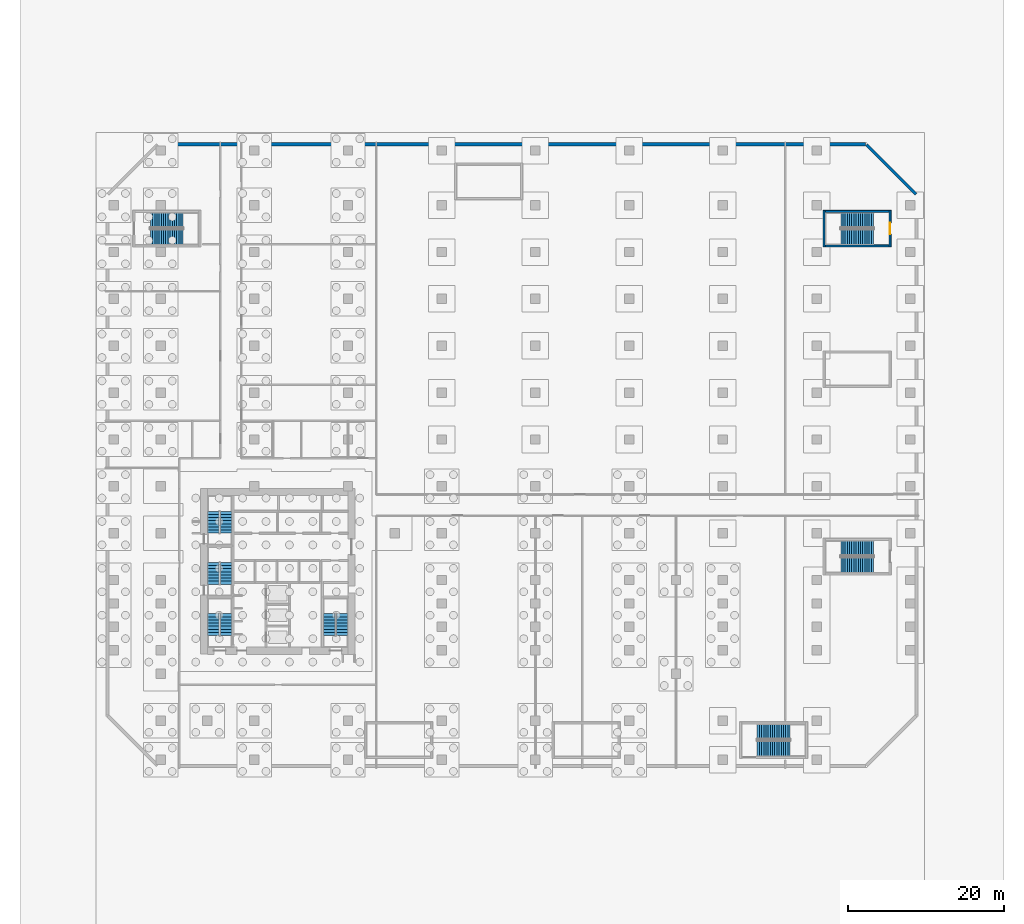
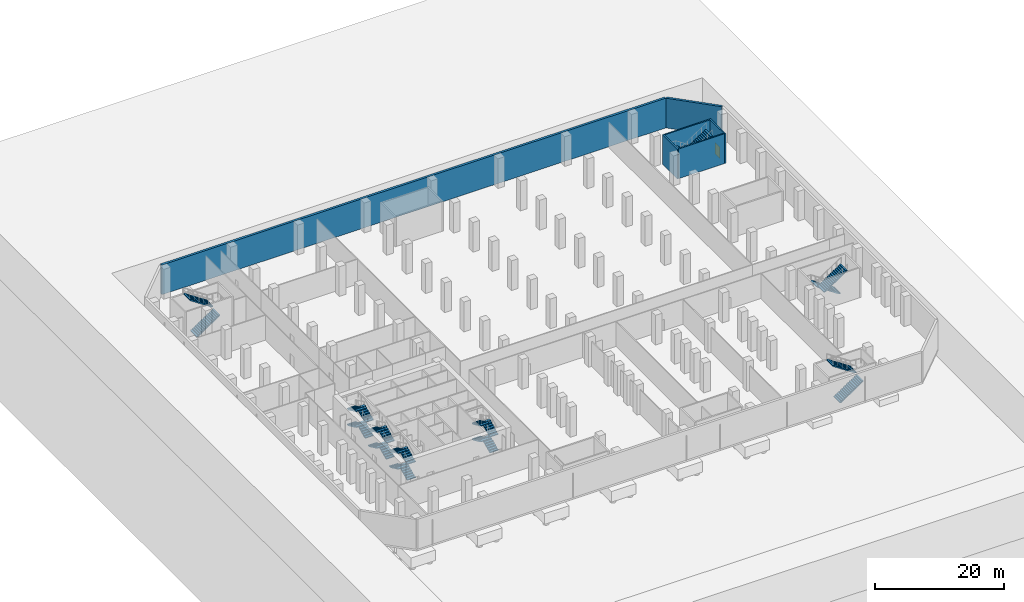
# One storey, part 12 of 16: 24 stair flights, 6 walls, 1 door, 1 opening, 8 elements without a shape of their own.
"""IFC4 building model written with IfcOpenShell, lengths in metres."""

from ifc_helpers import new_model, si_unit, direction, frame, frame_2d, origin, place, context, subcontext, project, spatial, polyline, rectangle, outline, extrude, material, layer, layer_set, type_object, element, fill, aggregate, save


model = new_model("IFC4")

# Units and contexts
model_context = context("Model", 3, precision=1e-05, world=origin(), true_north=direction((0.0, 1.0)))
body_context = subcontext(model_context, "Body", "Model", "MODEL_VIEW")
ifc_project = project(units=[si_unit("LENGTHUNIT", "METRE"), si_unit("AREAUNIT", "SQUARE_METRE"), si_unit("VOLUMEUNIT", "CUBIC_METRE"), si_unit("PLANEANGLEUNIT", "RADIAN"), si_unit("MASSUNIT", "GRAM", prefix="KILO")], contexts=[model_context])

# Site, building, storey
site_placement = place(None, origin())
site = spatial("IfcSite", under=ifc_project, at=site_placement, CompositionType="ELEMENT")
building_placement = place(site_placement, origin())
building = spatial("IfcBuilding", under=site, at=building_placement, Name="Welwitschia Terrace Campus", CompositionType="ELEMENT")
storey_placement = place(building_placement, frame((0.0, 0.0, -6.0)))
storey = spatial("IfcBuildingStorey", under=building, at=storey_placement, Name="B1", CompositionType="ELEMENT", Elevation=-6.0)

# Wall
ifc_material_1 = material(Name="Concrete C50/60", Category="concrete")
ifc_layer_1 = layer(ifc_material_1, 0.25)
ifc_layer_set_1 = layer_set([ifc_layer_1], Name="Concrete C50/60")
wall_type_1 = type_object("IfcWallType", Name="Core wall 250 Concrete C50/60", PredefinedType="SHEAR", material=ifc_layer_set_1)
wall_1_placement = place(storey_placement, frame((84.97509765625, 56.675048828125, 0.0), z_axis=(0.0, 0.0, 1.0), x_axis=(0.0, 1.0, 0.0)))
element("IfcWall", 1, at=wall_1_placement, inside=storey, type_object=wall_type_1, Name="Core wall", PredefinedType="SHEAR", context=body_context, shape_type="SweptSolid", body=[
    extrude(rectangle(XDim=4.64990234375, YDim=0.25, at=frame_2d((2.324951171875, 0.0))), origin(), (0.0, 0.0, 1.0), 5.64990234375),
])

# Wall, opening, door
wall_2_placement = place(storey_placement, frame((93.425048828125, 61.324951171875, 0.0), z_axis=(0.0, 0.0, 1.0), x_axis=(0.0, -1.0, 0.0)))
wall_2 = element("IfcWall", 2, at=wall_2_placement, inside=storey, type_object=wall_type_1, Name="Core wall", PredefinedType="SHEAR", context=body_context, shape_type="SweptSolid", body=[
    extrude(rectangle(XDim=4.64990234375, YDim=0.25, at=frame_2d((2.324951171875, 0.0))), origin(), (0.0, 0.0, 1.0), 5.64990234375),
])
opening_placement = place(wall_2_placement, frame((1.574951171875, 0.0, 0.0)))
opening = element("IfcOpeningElement", 3, at=opening_placement, cuts=wall_2, Name="Opening DS15", PredefinedType="OPENING", context=body_context, shape_type="SweptSolid", body=[
    extrude(rectangle(XDim=1.5, YDim=2.10009765625, at=frame_2d((0.75, 1.050048828125))), frame((0.0, 0.135009765625, 0.0), z_axis=(0.0, -1.0, 0.0), x_axis=(1.0, 0.0, 0.0)), (0.0, 0.0, 1.0), 0.27001953125),
])
ifc_material_2 = material(Name="Steel S275", Category="steel")
door_type = type_object("IfcDoorType", Name="Core door DS15", OperationType="DOUBLE_DOOR_SINGLE_SWING", PredefinedType="DOOR", material=ifc_material_2)
door_placement = place(opening_placement, origin())
door = element("IfcDoor", 4, at=door_placement, inside=storey, type_object=door_type, Name="Door P3", OperationType="DOUBLE_DOOR_SINGLE_SWING", OverallHeight=2.10009765625, OverallWidth=1.5, PredefinedType="DOOR", context=body_context, shape_type="SweptSolid", body=[
    extrude(rectangle(XDim=1.5, YDim=2.10009765625, at=frame_2d((0.75, 1.050048828125))), frame((0.0, 0.02490234375, 0.0), z_axis=(0.0, -1.0, 0.0), x_axis=(1.0, 0.0, 0.0)), (0.0, 0.0, 1.0), 0.050048828125),
])
fill(opening, door)

# Walls
for number, where, z_axis, x_axis, name in (
    (5, (85.10009765625, 56.800048828125, 0.0), (0.0, 0.0, 1.0), (1.0, 0.0, 0.0), "Core wall"),
    (6, (85.10009765625, 61.199951171875, 0.0), (0.0, 0.0, 1.0), (1.0, 0.0, 0.0), "Core wall"),
):
    element("IfcWall", number, at=place(storey_placement, frame(where, z_axis=z_axis, x_axis=x_axis)), inside=storey, type_object=wall_type_1, Name=name, PredefinedType="SHEAR", context=body_context, shape_type="SweptSolid", body=[
        extrude(rectangle(XDim=8.199951171875, YDim=0.25, at=frame_2d((4.10009765625, 0.0))), origin(), (0.0, 0.0, 1.0), 5.64990234375),
    ])
ifc_material_3 = material(Name="Concrete C40/50", Category="concrete")
ifc_layer_2 = layer(ifc_material_3, 0.39990234375)
ifc_layer_set_2 = layer_set([ifc_layer_2], Name="Concrete C40/50")
wall_type_2 = type_object("IfcWallType", Name="Retaining wall 400", PredefinedType="SOLIDWALL", material=ifc_layer_set_2)
wall_3_placement = place(storey_placement, frame((96.741455078125, 63.389892578125, 0.0), z_axis=(0.0, 0.0, 1.0), x_axis=(-0.707106781187, 0.707106781187, 0.0)))
element("IfcWall", 7, at=wall_3_placement, inside=storey, type_object=wall_type_2, Name="Basement retaining wall 4", PredefinedType="SOLIDWALL", context=body_context, shape_type="SweptSolid", body=[
    extrude(rectangle(XDim=8.982421875, YDim=0.39990234375, at=frame_2d((4.4912109375, 0.0))), origin(), (0.0, 0.0, 1.0), 5.64990234375),
])
wall_4_placement = place(storey_placement, frame((90.24853515625, 69.800048828125, 0.0), z_axis=(0.0, 0.0, 1.0), x_axis=(-1.0, 0.0, 0.0)))
element("IfcWall", 8, at=wall_4_placement, inside=storey, type_object=wall_type_2, Name="Basement retaining wall 5", PredefinedType="SOLIDWALL", context=body_context, shape_type="SweptSolid", body=[
    extrude(rectangle(XDim=90.4970703125, YDim=0.39990234375, at=frame_2d((45.24853515625, 0.0))), origin(), (0.0, 0.0, 1.0), 5.64990234375),
])

# Stair, stair flights
ifc_material_4 = material(Name="Concrete C40/50", Category="concrete")
stair_type_1 = type_object("IfcStairType", Name="Stair 32R 188 W1500", PredefinedType="HALF_TURN_STAIR", material=ifc_material_4)
stair_1_placement = place(storey_placement, origin())
stair_1 = element("IfcStair", 9, at=stair_1_placement, inside=storey, type_object=stair_type_1, Name="B1 Exit stair S1", PredefinedType="HALF_TURN_STAIR")
ifc_material_5 = material(Name="Concrete C40/50", Category="concrete")
stair_flight_type_1 = type_object("IfcStairFlightType", Name="Stair flight 32R 188 W1500", PredefinedType="STRAIGHT", material=ifc_material_5)
stair_flight_1_placement = place(storey_placement, frame((8.39990234375, 6.89990234375, 0.0), z_axis=(0.0, 0.0, 1.0), x_axis=(0.0, 1.0, 0.0)))
stair_flight_1 = element("IfcStairFlight", 10, at=stair_flight_1_placement, type_object=stair_flight_type_1, Name="S1 flight 1", NumberOfRisers=8, NumberOfTreads=7, PredefinedType="STRAIGHT", RiserHeight=0.1875, TreadLength=0.4, context=body_context, shape_type="SweptSolid", body=[
    extrude(outline(polyline([(0.0, 0.0), (0.0, 0.1875), (0.39990234375, 0.1875), (0.39990234375, 0.375), (0.800048828125, 0.375), (0.800048828125, 0.5625), (1.199951171875, 0.5625), (1.199951171875, 0.75), (1.60009765625, 0.75), (1.60009765625, 0.9375), (2.0, 0.9375), (2.0, 1.125), (2.39990234375, 1.125), (2.39990234375, 1.3125), (2.800048828125, 1.3125), (2.800048828125, 1.5), (2.800048828125, 1.14697265625), (0.353271484375, 0.0), (0.0, 0.0)])), frame((0.0, 0.75, 0.0), z_axis=(0.0, -1.0, 0.0), x_axis=(1.0, 0.0, 0.0)), (0.0, 0.0, 1.0), 1.5),
])
stair_flight_2_placement = place(storey_placement, frame((6.75, 9.699951171875, 1.5), z_axis=(0.0, 0.0, 1.0), x_axis=(0.0, -1.0, 0.0)))
stair_flight_2 = element("IfcStairFlight", 11, at=stair_flight_2_placement, type_object=stair_flight_type_1, Name="S1 flight 2", NumberOfRisers=8, NumberOfTreads=7, PredefinedType="STRAIGHT", RiserHeight=0.1875, TreadLength=0.4, context=body_context, shape_type="SweptSolid", body=[
    extrude(outline(polyline([(0.0, 0.0), (0.0, 0.1875), (0.39990234375, 0.1875), (0.39990234375, 0.375), (0.800048828125, 0.375), (0.800048828125, 0.5625), (1.199951171875, 0.5625), (1.199951171875, 0.75), (1.60009765625, 0.75), (1.60009765625, 0.9375), (2.0, 0.9375), (2.0, 1.125), (2.39990234375, 1.125), (2.39990234375, 1.3125), (2.800048828125, 1.3125), (2.800048828125, 1.5), (2.800048828125, 1.14697265625), (0.353271484375, 0.0), (0.0, 0.0)])), frame((0.0, 0.75, 0.0), z_axis=(0.0, -1.0, 0.0), x_axis=(1.0, 0.0, 0.0)), (0.0, 0.0, 1.0), 1.5),
])
stair_flight_3_placement = place(storey_placement, frame((8.39990234375, 6.89990234375, 3.0), z_axis=(0.0, 0.0, 1.0), x_axis=(0.0, 1.0, 0.0)))
stair_flight_3 = element("IfcStairFlight", 12, at=stair_flight_3_placement, type_object=stair_flight_type_1, Name="S1 flight 3", NumberOfRisers=8, NumberOfTreads=7, PredefinedType="STRAIGHT", RiserHeight=0.1875, TreadLength=0.4, context=body_context, shape_type="SweptSolid", body=[
    extrude(outline(polyline([(0.0, 0.0), (0.0, 0.1875), (0.39990234375, 0.1875), (0.39990234375, 0.375), (0.800048828125, 0.375), (0.800048828125, 0.5625), (1.199951171875, 0.5625), (1.199951171875, 0.75), (1.60009765625, 0.75), (1.60009765625, 0.9375), (2.0, 0.9375), (2.0, 1.125), (2.39990234375, 1.125), (2.39990234375, 1.3125), (2.800048828125, 1.3125), (2.800048828125, 1.5), (2.800048828125, 1.14697265625), (0.353271484375, 0.0), (0.0, 0.0)])), frame((0.0, 0.75, 0.0), z_axis=(0.0, -1.0, 0.0), x_axis=(1.0, 0.0, 0.0)), (0.0, 0.0, 1.0), 1.5),
])
stair_flight_4_placement = place(storey_placement, frame((6.75, 9.699951171875, 4.5), z_axis=(0.0, 0.0, 1.0), x_axis=(0.0, -1.0, 0.0)))
stair_flight_4 = element("IfcStairFlight", 13, at=stair_flight_4_placement, type_object=stair_flight_type_1, Name="S1 flight 4", NumberOfRisers=8, NumberOfTreads=7, PredefinedType="STRAIGHT", RiserHeight=0.1875, TreadLength=0.4, context=body_context, shape_type="SweptSolid", body=[
    extrude(outline(polyline([(0.0, 0.0), (0.0, 0.1875), (0.39990234375, 0.1875), (0.39990234375, 0.375), (0.800048828125, 0.375), (0.800048828125, 0.5625), (1.199951171875, 0.5625), (1.199951171875, 0.75), (1.60009765625, 0.75), (1.60009765625, 0.9375), (2.0, 0.9375), (2.0, 1.125), (2.39990234375, 1.125), (2.39990234375, 1.3125), (2.800048828125, 1.3125), (2.800048828125, 1.5), (2.800048828125, 1.14697265625), (0.353271484375, 0.0), (0.0, 0.0)])), frame((0.0, 0.75, 0.0), z_axis=(0.0, -1.0, 0.0), x_axis=(1.0, 0.0, 0.0)), (0.0, 0.0, 1.0), 1.5),
])
aggregate(stair_1, [stair_flight_1, stair_flight_2, stair_flight_3, stair_flight_4])

stair_2_placement = place(storey_placement, origin())
stair_2 = element("IfcStair", 14, at=stair_2_placement, inside=storey, type_object=stair_type_1, Name="B1 Exit stair S3", PredefinedType="HALF_TURN_STAIR")
stair_flight_5_placement = place(storey_placement, frame((8.39990234375, 13.449951171875, 0.0), z_axis=(0.0, 0.0, 1.0), x_axis=(0.0, 1.0, 0.0)))
stair_flight_5 = element("IfcStairFlight", 15, at=stair_flight_5_placement, type_object=stair_flight_type_1, Name="S3 flight 1", NumberOfRisers=8, NumberOfTreads=7, PredefinedType="STRAIGHT", RiserHeight=0.1875, TreadLength=0.4, context=body_context, shape_type="SweptSolid", body=[
    extrude(outline(polyline([(0.0, 0.0), (0.0, 0.1875), (0.39990234375, 0.1875), (0.39990234375, 0.375), (0.800048828125, 0.375), (0.800048828125, 0.5625), (1.199951171875, 0.5625), (1.199951171875, 0.75), (1.60009765625, 0.75), (1.60009765625, 0.9375), (2.0, 0.9375), (2.0, 1.125), (2.39990234375, 1.125), (2.39990234375, 1.3125), (2.800048828125, 1.3125), (2.800048828125, 1.5), (2.800048828125, 1.14697265625), (0.353271484375, 0.0), (0.0, 0.0)])), frame((0.0, 0.75, 0.0), z_axis=(0.0, -1.0, 0.0), x_axis=(1.0, 0.0, 0.0)), (0.0, 0.0, 1.0), 1.5),
])
stair_flight_6_placement = place(storey_placement, frame((6.75, 16.25, 1.5), z_axis=(0.0, 0.0, 1.0), x_axis=(0.0, -1.0, 0.0)))
stair_flight_6 = element("IfcStairFlight", 16, at=stair_flight_6_placement, type_object=stair_flight_type_1, Name="S3 flight 2", NumberOfRisers=8, NumberOfTreads=7, PredefinedType="STRAIGHT", RiserHeight=0.1875, TreadLength=0.4, context=body_context, shape_type="SweptSolid", body=[
    extrude(outline(polyline([(0.0, 0.0), (0.0, 0.1875), (0.39990234375, 0.1875), (0.39990234375, 0.375), (0.800048828125, 0.375), (0.800048828125, 0.5625), (1.199951171875, 0.5625), (1.199951171875, 0.75), (1.60009765625, 0.75), (1.60009765625, 0.9375), (2.0, 0.9375), (2.0, 1.125), (2.39990234375, 1.125), (2.39990234375, 1.3125), (2.800048828125, 1.3125), (2.800048828125, 1.5), (2.800048828125, 1.14697265625), (0.353271484375, 0.0), (0.0, 0.0)])), frame((0.0, 0.75, 0.0), z_axis=(0.0, -1.0, 0.0), x_axis=(1.0, 0.0, 0.0)), (0.0, 0.0, 1.0), 1.5),
])
stair_flight_7_placement = place(storey_placement, frame((8.39990234375, 13.449951171875, 3.0), z_axis=(0.0, 0.0, 1.0), x_axis=(0.0, 1.0, 0.0)))
stair_flight_7 = element("IfcStairFlight", 17, at=stair_flight_7_placement, type_object=stair_flight_type_1, Name="S3 flight 3", NumberOfRisers=8, NumberOfTreads=7, PredefinedType="STRAIGHT", RiserHeight=0.1875, TreadLength=0.4, context=body_context, shape_type="SweptSolid", body=[
    extrude(outline(polyline([(0.0, 0.0), (0.0, 0.1875), (0.39990234375, 0.1875), (0.39990234375, 0.375), (0.800048828125, 0.375), (0.800048828125, 0.5625), (1.199951171875, 0.5625), (1.199951171875, 0.75), (1.60009765625, 0.75), (1.60009765625, 0.9375), (2.0, 0.9375), (2.0, 1.125), (2.39990234375, 1.125), (2.39990234375, 1.3125), (2.800048828125, 1.3125), (2.800048828125, 1.5), (2.800048828125, 1.14697265625), (0.353271484375, 0.0), (0.0, 0.0)])), frame((0.0, 0.75, 0.0), z_axis=(0.0, -1.0, 0.0), x_axis=(1.0, 0.0, 0.0)), (0.0, 0.0, 1.0), 1.5),
])
stair_flight_8_placement = place(storey_placement, frame((6.75, 16.25, 4.5), z_axis=(0.0, 0.0, 1.0), x_axis=(0.0, -1.0, 0.0)))
stair_flight_8 = element("IfcStairFlight", 18, at=stair_flight_8_placement, type_object=stair_flight_type_1, Name="S3 flight 4", NumberOfRisers=8, NumberOfTreads=7, PredefinedType="STRAIGHT", RiserHeight=0.1875, TreadLength=0.4, context=body_context, shape_type="SweptSolid", body=[
    extrude(outline(polyline([(0.0, 0.0), (0.0, 0.1875), (0.39990234375, 0.1875), (0.39990234375, 0.375), (0.800048828125, 0.375), (0.800048828125, 0.5625), (1.199951171875, 0.5625), (1.199951171875, 0.75), (1.60009765625, 0.75), (1.60009765625, 0.9375), (2.0, 0.9375), (2.0, 1.125), (2.39990234375, 1.125), (2.39990234375, 1.3125), (2.800048828125, 1.3125), (2.800048828125, 1.5), (2.800048828125, 1.14697265625), (0.353271484375, 0.0), (0.0, 0.0)])), frame((0.0, 0.75, 0.0), z_axis=(0.0, -1.0, 0.0), x_axis=(1.0, 0.0, 0.0)), (0.0, 0.0, 1.0), 1.5),
])
aggregate(stair_2, [stair_flight_5, stair_flight_6, stair_flight_7, stair_flight_8])

stair_3_placement = place(storey_placement, origin())
stair_3 = element("IfcStair", 19, at=stair_3_placement, inside=storey, type_object=stair_type_1, Name="B1 Exit stair S4", PredefinedType="HALF_TURN_STAIR")
stair_flight_9_placement = place(storey_placement, frame((8.39990234375, 20.0, 0.0), z_axis=(0.0, 0.0, 1.0), x_axis=(0.0, 1.0, 0.0)))
stair_flight_9 = element("IfcStairFlight", 20, at=stair_flight_9_placement, type_object=stair_flight_type_1, Name="S4 flight 1", NumberOfRisers=8, NumberOfTreads=7, PredefinedType="STRAIGHT", RiserHeight=0.1875, TreadLength=0.4, context=body_context, shape_type="SweptSolid", body=[
    extrude(outline(polyline([(0.0, 0.0), (0.0, 0.1875), (0.39990234375, 0.1875), (0.39990234375, 0.375), (0.800048828125, 0.375), (0.800048828125, 0.5625), (1.199951171875, 0.5625), (1.199951171875, 0.75), (1.60009765625, 0.75), (1.60009765625, 0.9375), (2.0, 0.9375), (2.0, 1.125), (2.39990234375, 1.125), (2.39990234375, 1.3125), (2.800048828125, 1.3125), (2.800048828125, 1.5), (2.800048828125, 1.14697265625), (0.353271484375, 0.0), (0.0, 0.0)])), frame((0.0, 0.75, 0.0), z_axis=(0.0, -1.0, 0.0), x_axis=(1.0, 0.0, 0.0)), (0.0, 0.0, 1.0), 1.5),
])
stair_flight_10_placement = place(storey_placement, frame((6.75, 22.800048828125, 1.5), z_axis=(0.0, 0.0, 1.0), x_axis=(0.0, -1.0, 0.0)))
stair_flight_10 = element("IfcStairFlight", 21, at=stair_flight_10_placement, type_object=stair_flight_type_1, Name="S4 flight 2", NumberOfRisers=8, NumberOfTreads=7, PredefinedType="STRAIGHT", RiserHeight=0.1875, TreadLength=0.4, context=body_context, shape_type="SweptSolid", body=[
    extrude(outline(polyline([(0.0, 0.0), (0.0, 0.1875), (0.39990234375, 0.1875), (0.39990234375, 0.375), (0.800048828125, 0.375), (0.800048828125, 0.5625), (1.199951171875, 0.5625), (1.199951171875, 0.75), (1.60009765625, 0.75), (1.60009765625, 0.9375), (2.0, 0.9375), (2.0, 1.125), (2.39990234375, 1.125), (2.39990234375, 1.3125), (2.800048828125, 1.3125), (2.800048828125, 1.5), (2.800048828125, 1.14697265625), (0.353271484375, 0.0), (0.0, 0.0)])), frame((0.0, 0.75, 0.0), z_axis=(0.0, -1.0, 0.0), x_axis=(1.0, 0.0, 0.0)), (0.0, 0.0, 1.0), 1.5),
])
stair_flight_11_placement = place(storey_placement, frame((8.39990234375, 20.0, 3.0), z_axis=(0.0, 0.0, 1.0), x_axis=(0.0, 1.0, 0.0)))
stair_flight_11 = element("IfcStairFlight", 22, at=stair_flight_11_placement, type_object=stair_flight_type_1, Name="S4 flight 3", NumberOfRisers=8, NumberOfTreads=7, PredefinedType="STRAIGHT", RiserHeight=0.1875, TreadLength=0.4, context=body_context, shape_type="SweptSolid", body=[
    extrude(outline(polyline([(0.0, 0.0), (0.0, 0.1875), (0.39990234375, 0.1875), (0.39990234375, 0.375), (0.800048828125, 0.375), (0.800048828125, 0.5625), (1.199951171875, 0.5625), (1.199951171875, 0.75), (1.60009765625, 0.75), (1.60009765625, 0.9375), (2.0, 0.9375), (2.0, 1.125), (2.39990234375, 1.125), (2.39990234375, 1.3125), (2.800048828125, 1.3125), (2.800048828125, 1.5), (2.800048828125, 1.14697265625), (0.353271484375, 0.0), (0.0, 0.0)])), frame((0.0, 0.75, 0.0), z_axis=(0.0, -1.0, 0.0), x_axis=(1.0, 0.0, 0.0)), (0.0, 0.0, 1.0), 1.5),
])
stair_flight_12_placement = place(storey_placement, frame((6.75, 22.800048828125, 4.5), z_axis=(0.0, 0.0, 1.0), x_axis=(0.0, -1.0, 0.0)))
stair_flight_12 = element("IfcStairFlight", 23, at=stair_flight_12_placement, type_object=stair_flight_type_1, Name="S4 flight 4", NumberOfRisers=8, NumberOfTreads=7, PredefinedType="STRAIGHT", RiserHeight=0.1875, TreadLength=0.4, context=body_context, shape_type="SweptSolid", body=[
    extrude(outline(polyline([(0.0, 0.0), (0.0, 0.1875), (0.39990234375, 0.1875), (0.39990234375, 0.375), (0.800048828125, 0.375), (0.800048828125, 0.5625), (1.199951171875, 0.5625), (1.199951171875, 0.75), (1.60009765625, 0.75), (1.60009765625, 0.9375), (2.0, 0.9375), (2.0, 1.125), (2.39990234375, 1.125), (2.39990234375, 1.3125), (2.800048828125, 1.3125), (2.800048828125, 1.5), (2.800048828125, 1.14697265625), (0.353271484375, 0.0), (0.0, 0.0)])), frame((0.0, 0.75, 0.0), z_axis=(0.0, -1.0, 0.0), x_axis=(1.0, 0.0, 0.0)), (0.0, 0.0, 1.0), 1.5),
])
aggregate(stair_3, [stair_flight_9, stair_flight_10, stair_flight_11, stair_flight_12])

stair_4_placement = place(storey_placement, origin())
stair_4 = element("IfcStair", 24, at=stair_4_placement, inside=storey, type_object=stair_type_1, Name="B1 Exit stair S2", PredefinedType="HALF_TURN_STAIR")
stair_flight_13_placement = place(storey_placement, frame((23.25, 6.89990234375, 0.0), z_axis=(0.0, 0.0, 1.0), x_axis=(0.0, 1.0, 0.0)))
stair_flight_13 = element("IfcStairFlight", 25, at=stair_flight_13_placement, type_object=stair_flight_type_1, Name="S2 flight 1", NumberOfRisers=8, NumberOfTreads=7, PredefinedType="STRAIGHT", RiserHeight=0.1875, TreadLength=0.4, context=body_context, shape_type="SweptSolid", body=[
    extrude(outline(polyline([(0.0, 0.0), (0.0, 0.1875), (0.39990234375, 0.1875), (0.39990234375, 0.375), (0.800048828125, 0.375), (0.800048828125, 0.5625), (1.199951171875, 0.5625), (1.199951171875, 0.75), (1.60009765625, 0.75), (1.60009765625, 0.9375), (2.0, 0.9375), (2.0, 1.125), (2.39990234375, 1.125), (2.39990234375, 1.3125), (2.800048828125, 1.3125), (2.800048828125, 1.5), (2.800048828125, 1.14697265625), (0.353271484375, 0.0), (0.0, 0.0)])), frame((0.0, 0.75, 0.0), z_axis=(0.0, -1.0, 0.0), x_axis=(1.0, 0.0, 0.0)), (0.0, 0.0, 1.0), 1.5),
])
stair_flight_14_placement = place(storey_placement, frame((21.60009765625, 9.699951171875, 1.5), z_axis=(0.0, 0.0, 1.0), x_axis=(0.0, -1.0, 0.0)))
stair_flight_14 = element("IfcStairFlight", 26, at=stair_flight_14_placement, type_object=stair_flight_type_1, Name="S2 flight 2", NumberOfRisers=8, NumberOfTreads=7, PredefinedType="STRAIGHT", RiserHeight=0.1875, TreadLength=0.4, context=body_context, shape_type="SweptSolid", body=[
    extrude(outline(polyline([(0.0, 0.0), (0.0, 0.1875), (0.39990234375, 0.1875), (0.39990234375, 0.375), (0.800048828125, 0.375), (0.800048828125, 0.5625), (1.199951171875, 0.5625), (1.199951171875, 0.75), (1.60009765625, 0.75), (1.60009765625, 0.9375), (2.0, 0.9375), (2.0, 1.125), (2.39990234375, 1.125), (2.39990234375, 1.3125), (2.800048828125, 1.3125), (2.800048828125, 1.5), (2.800048828125, 1.14697265625), (0.353271484375, 0.0), (0.0, 0.0)])), frame((0.0, 0.75, 0.0), z_axis=(0.0, -1.0, 0.0), x_axis=(1.0, 0.0, 0.0)), (0.0, 0.0, 1.0), 1.5),
])
stair_flight_15_placement = place(storey_placement, frame((23.25, 6.89990234375, 3.0), z_axis=(0.0, 0.0, 1.0), x_axis=(0.0, 1.0, 0.0)))
stair_flight_15 = element("IfcStairFlight", 27, at=stair_flight_15_placement, type_object=stair_flight_type_1, Name="S2 flight 3", NumberOfRisers=8, NumberOfTreads=7, PredefinedType="STRAIGHT", RiserHeight=0.1875, TreadLength=0.4, context=body_context, shape_type="SweptSolid", body=[
    extrude(outline(polyline([(0.0, 0.0), (0.0, 0.1875), (0.39990234375, 0.1875), (0.39990234375, 0.375), (0.800048828125, 0.375), (0.800048828125, 0.5625), (1.199951171875, 0.5625), (1.199951171875, 0.75), (1.60009765625, 0.75), (1.60009765625, 0.9375), (2.0, 0.9375), (2.0, 1.125), (2.39990234375, 1.125), (2.39990234375, 1.3125), (2.800048828125, 1.3125), (2.800048828125, 1.5), (2.800048828125, 1.14697265625), (0.353271484375, 0.0), (0.0, 0.0)])), frame((0.0, 0.75, 0.0), z_axis=(0.0, -1.0, 0.0), x_axis=(1.0, 0.0, 0.0)), (0.0, 0.0, 1.0), 1.5),
])
stair_flight_16_placement = place(storey_placement, frame((21.60009765625, 9.699951171875, 4.5), z_axis=(0.0, 0.0, 1.0), x_axis=(0.0, -1.0, 0.0)))
stair_flight_16 = element("IfcStairFlight", 28, at=stair_flight_16_placement, type_object=stair_flight_type_1, Name="S2 flight 4", NumberOfRisers=8, NumberOfTreads=7, PredefinedType="STRAIGHT", RiserHeight=0.1875, TreadLength=0.4, context=body_context, shape_type="SweptSolid", body=[
    extrude(outline(polyline([(0.0, 0.0), (0.0, 0.1875), (0.39990234375, 0.1875), (0.39990234375, 0.375), (0.800048828125, 0.375), (0.800048828125, 0.5625), (1.199951171875, 0.5625), (1.199951171875, 0.75), (1.60009765625, 0.75), (1.60009765625, 0.9375), (2.0, 0.9375), (2.0, 1.125), (2.39990234375, 1.125), (2.39990234375, 1.3125), (2.800048828125, 1.3125), (2.800048828125, 1.5), (2.800048828125, 1.14697265625), (0.353271484375, 0.0), (0.0, 0.0)])), frame((0.0, 0.75, 0.0), z_axis=(0.0, -1.0, 0.0), x_axis=(1.0, 0.0, 0.0)), (0.0, 0.0, 1.0), 1.5),
])
aggregate(stair_4, [stair_flight_13, stair_flight_14, stair_flight_15, stair_flight_16])

ifc_material_6 = material(Name="Concrete C40/50", Category="concrete")
stair_type_2 = type_object("IfcStairType", Name="Stair 32R 188 W2000", PredefinedType="HALF_TURN_STAIR", material=ifc_material_6)
stair_5_placement = place(storey_placement, origin())
stair_5 = element("IfcStair", 29, at=stair_5_placement, inside=storey, type_object=stair_type_2, Name="B1 Podium stair P3", PredefinedType="HALF_TURN_STAIR")
ifc_material_7 = material(Name="Concrete C40/50", Category="concrete")
stair_flight_type_2 = type_object("IfcStairFlightType", Name="Stair flight 32R 188 W2000", PredefinedType="STRAIGHT", material=ifc_material_7)
stair_flight_17_placement = place(storey_placement, frame((91.300048828125, 60.074951171875, 0.0), z_axis=(0.0, 0.0, 1.0), x_axis=(-1.0, 0.0, 0.0)))
stair_flight_17 = element("IfcStairFlight", 30, at=stair_flight_17_placement, type_object=stair_flight_type_2, Name="P3 flight 1", NumberOfRisers=16, NumberOfTreads=15, PredefinedType="STRAIGHT", RiserHeight=0.1875, TreadLength=0.28, context=body_context, shape_type="SweptSolid", body=[
    extrude(outline(polyline([(0.0, 0.0), (0.0, 0.1875), (0.280029296875, 0.1875), (0.280029296875, 0.375), (0.56005859375, 0.375), (0.56005859375, 0.5625), (0.840087890625, 0.5625), (0.840087890625, 0.75), (1.1201171875, 0.75), (1.1201171875, 0.9375), (1.39990234375, 0.9375), (1.39990234375, 1.125), (1.679931640625, 1.125), (1.679931640625, 1.3125), (1.9599609375, 1.3125), (1.9599609375, 1.5), (2.239990234375, 1.5), (2.239990234375, 1.6875), (2.52001953125, 1.6875), (2.52001953125, 1.875), (2.800048828125, 1.875), (2.800048828125, 2.0625), (3.080078125, 2.0625), (3.080078125, 2.25), (3.360107421875, 2.25), (3.360107421875, 2.4375), (3.639892578125, 2.4375), (3.639892578125, 2.625), (3.919921875, 2.625), (3.919921875, 2.8125), (4.199951171875, 2.8125), (4.199951171875, 3.0), (4.199951171875, 2.632080078125), (0.26953125, 0.0), (0.0, 0.0)])), frame((0.0, 1.0, 0.0), z_axis=(0.0, -1.0, 0.0), x_axis=(1.0, 0.0, 0.0)), (0.0, 0.0, 1.0), 2.0),
])
stair_flight_18_placement = place(storey_placement, frame((87.10009765625, 57.925048828125, 3.0), z_axis=(0.0, 0.0, 1.0), x_axis=(1.0, 0.0, 0.0)))
stair_flight_18 = element("IfcStairFlight", 31, at=stair_flight_18_placement, type_object=stair_flight_type_2, Name="P3 flight 2", NumberOfRisers=16, NumberOfTreads=15, PredefinedType="STRAIGHT", RiserHeight=0.1875, TreadLength=0.28, context=body_context, shape_type="SweptSolid", body=[
    extrude(outline(polyline([(0.0, 0.0), (0.0, 0.1875), (0.280029296875, 0.1875), (0.280029296875, 0.375), (0.56005859375, 0.375), (0.56005859375, 0.5625), (0.840087890625, 0.5625), (0.840087890625, 0.75), (1.1201171875, 0.75), (1.1201171875, 0.9375), (1.39990234375, 0.9375), (1.39990234375, 1.125), (1.679931640625, 1.125), (1.679931640625, 1.3125), (1.9599609375, 1.3125), (1.9599609375, 1.5), (2.239990234375, 1.5), (2.239990234375, 1.6875), (2.52001953125, 1.6875), (2.52001953125, 1.875), (2.800048828125, 1.875), (2.800048828125, 2.0625), (3.080078125, 2.0625), (3.080078125, 2.25), (3.360107421875, 2.25), (3.360107421875, 2.4375), (3.639892578125, 2.4375), (3.639892578125, 2.625), (3.919921875, 2.625), (3.919921875, 2.8125), (4.199951171875, 2.8125), (4.199951171875, 3.0), (4.199951171875, 2.632080078125), (0.26953125, 0.0), (0.0, 0.0)])), frame((0.0, 1.0, 0.0), z_axis=(0.0, -1.0, 0.0), x_axis=(1.0, 0.0, 0.0)), (0.0, 0.0, 1.0), 2.0),
])
aggregate(stair_5, [stair_flight_17, stair_flight_18])

stair_6_placement = place(storey_placement, origin())
stair_6 = element("IfcStair", 32, at=stair_6_placement, inside=storey, type_object=stair_type_2, Name="B1 Podium stair P4", PredefinedType="HALF_TURN_STAIR")
stair_flight_19_placement = place(storey_placement, frame((-1.300048828125, 57.925048828125, 0.0), z_axis=(0.0, 0.0, 1.0), x_axis=(1.0, 0.0, 0.0)))
stair_flight_19 = element("IfcStairFlight", 33, at=stair_flight_19_placement, type_object=stair_flight_type_2, Name="P4 flight 1", NumberOfRisers=16, NumberOfTreads=15, PredefinedType="STRAIGHT", RiserHeight=0.1875, TreadLength=0.28, context=body_context, shape_type="SweptSolid", body=[
    extrude(outline(polyline([(0.0, 0.0), (0.0, 0.1875), (0.280029296875, 0.1875), (0.280029296875, 0.375), (0.56005859375, 0.375), (0.56005859375, 0.5625), (0.840087890625, 0.5625), (0.840087890625, 0.75), (1.1201171875, 0.75), (1.1201171875, 0.9375), (1.39990234375, 0.9375), (1.39990234375, 1.125), (1.679931640625, 1.125), (1.679931640625, 1.3125), (1.9599609375, 1.3125), (1.9599609375, 1.5), (2.239990234375, 1.5), (2.239990234375, 1.6875), (2.52001953125, 1.6875), (2.52001953125, 1.875), (2.800048828125, 1.875), (2.800048828125, 2.0625), (3.080078125, 2.0625), (3.080078125, 2.25), (3.360107421875, 2.25), (3.360107421875, 2.4375), (3.639892578125, 2.4375), (3.639892578125, 2.625), (3.919921875, 2.625), (3.919921875, 2.8125), (4.199951171875, 2.8125), (4.199951171875, 3.0), (4.199951171875, 2.632080078125), (0.26953125, 0.0), (0.0, 0.0)])), frame((0.0, 1.0, 0.0), z_axis=(0.0, -1.0, 0.0), x_axis=(1.0, 0.0, 0.0)), (0.0, 0.0, 1.0), 2.0),
])
stair_flight_20_placement = place(storey_placement, frame((2.89990234375, 60.074951171875, 3.0), z_axis=(0.0, 0.0, 1.0), x_axis=(-1.0, 0.0, 0.0)))
stair_flight_20 = element("IfcStairFlight", 34, at=stair_flight_20_placement, type_object=stair_flight_type_2, Name="P4 flight 2", NumberOfRisers=16, NumberOfTreads=15, PredefinedType="STRAIGHT", RiserHeight=0.1875, TreadLength=0.28, context=body_context, shape_type="SweptSolid", body=[
    extrude(outline(polyline([(0.0, 0.0), (0.0, 0.1875), (0.280029296875, 0.1875), (0.280029296875, 0.375), (0.56005859375, 0.375), (0.56005859375, 0.5625), (0.840087890625, 0.5625), (0.840087890625, 0.75), (1.1201171875, 0.75), (1.1201171875, 0.9375), (1.39990234375, 0.9375), (1.39990234375, 1.125), (1.679931640625, 1.125), (1.679931640625, 1.3125), (1.9599609375, 1.3125), (1.9599609375, 1.5), (2.239990234375, 1.5), (2.239990234375, 1.6875), (2.52001953125, 1.6875), (2.52001953125, 1.875), (2.800048828125, 1.875), (2.800048828125, 2.0625), (3.080078125, 2.0625), (3.080078125, 2.25), (3.360107421875, 2.25), (3.360107421875, 2.4375), (3.639892578125, 2.4375), (3.639892578125, 2.625), (3.919921875, 2.625), (3.919921875, 2.8125), (4.199951171875, 2.8125), (4.199951171875, 3.0), (4.199951171875, 2.632080078125), (0.26953125, 0.0), (0.0, 0.0)])), frame((0.0, 1.0, 0.0), z_axis=(0.0, -1.0, 0.0), x_axis=(1.0, 0.0, 0.0)), (0.0, 0.0, 1.0), 2.0),
])
aggregate(stair_6, [stair_flight_19, stair_flight_20])

stair_7_placement = place(storey_placement, origin())
stair_7 = element("IfcStair", 35, at=stair_7_placement, inside=storey, type_object=stair_type_2, Name="B1 Podium stair P5", PredefinedType="HALF_TURN_STAIR")
stair_flight_21_placement = place(storey_placement, frame((76.39990234375, -7.574951171875, 0.0), z_axis=(0.0, 0.0, 1.0), x_axis=(1.0, 0.0, 0.0)))
stair_flight_21 = element("IfcStairFlight", 36, at=stair_flight_21_placement, type_object=stair_flight_type_2, Name="P5 flight 1", NumberOfRisers=16, NumberOfTreads=15, PredefinedType="STRAIGHT", RiserHeight=0.1875, TreadLength=0.28, context=body_context, shape_type="SweptSolid", body=[
    extrude(outline(polyline([(0.0, 0.0), (0.0, 0.1875), (0.280029296875, 0.1875), (0.280029296875, 0.375), (0.56005859375, 0.375), (0.56005859375, 0.5625), (0.840087890625, 0.5625), (0.840087890625, 0.75), (1.1201171875, 0.75), (1.1201171875, 0.9375), (1.39990234375, 0.9375), (1.39990234375, 1.125), (1.679931640625, 1.125), (1.679931640625, 1.3125), (1.9599609375, 1.3125), (1.9599609375, 1.5), (2.239990234375, 1.5), (2.239990234375, 1.6875), (2.52001953125, 1.6875), (2.52001953125, 1.875), (2.800048828125, 1.875), (2.800048828125, 2.0625), (3.080078125, 2.0625), (3.080078125, 2.25), (3.360107421875, 2.25), (3.360107421875, 2.4375), (3.639892578125, 2.4375), (3.639892578125, 2.625), (3.919921875, 2.625), (3.919921875, 2.8125), (4.199951171875, 2.8125), (4.199951171875, 3.0), (4.199951171875, 2.632080078125), (0.26953125, 0.0), (0.0, 0.0)])), frame((0.0, 1.0, 0.0), z_axis=(0.0, -1.0, 0.0), x_axis=(1.0, 0.0, 0.0)), (0.0, 0.0, 1.0), 2.0),
])
stair_flight_22_placement = place(storey_placement, frame((80.60009765625, -5.425048828125, 3.0), z_axis=(0.0, 0.0, 1.0), x_axis=(-1.0, 0.0, 0.0)))
stair_flight_22 = element("IfcStairFlight", 37, at=stair_flight_22_placement, type_object=stair_flight_type_2, Name="P5 flight 2", NumberOfRisers=16, NumberOfTreads=15, PredefinedType="STRAIGHT", RiserHeight=0.1875, TreadLength=0.28, context=body_context, shape_type="SweptSolid", body=[
    extrude(outline(polyline([(0.0, 0.0), (0.0, 0.1875), (0.280029296875, 0.1875), (0.280029296875, 0.375), (0.56005859375, 0.375), (0.56005859375, 0.5625), (0.840087890625, 0.5625), (0.840087890625, 0.75), (1.1201171875, 0.75), (1.1201171875, 0.9375), (1.39990234375, 0.9375), (1.39990234375, 1.125), (1.679931640625, 1.125), (1.679931640625, 1.3125), (1.9599609375, 1.3125), (1.9599609375, 1.5), (2.239990234375, 1.5), (2.239990234375, 1.6875), (2.52001953125, 1.6875), (2.52001953125, 1.875), (2.800048828125, 1.875), (2.800048828125, 2.0625), (3.080078125, 2.0625), (3.080078125, 2.25), (3.360107421875, 2.25), (3.360107421875, 2.4375), (3.639892578125, 2.4375), (3.639892578125, 2.625), (3.919921875, 2.625), (3.919921875, 2.8125), (4.199951171875, 2.8125), (4.199951171875, 3.0), (4.199951171875, 2.632080078125), (0.26953125, 0.0), (0.0, 0.0)])), frame((0.0, 1.0, 0.0), z_axis=(0.0, -1.0, 0.0), x_axis=(1.0, 0.0, 0.0)), (0.0, 0.0, 1.0), 2.0),
])
aggregate(stair_7, [stair_flight_21, stair_flight_22])

stair_8_placement = place(storey_placement, origin())
stair_8 = element("IfcStair", 38, at=stair_8_placement, inside=storey, type_object=stair_type_2, Name="B1 Podium stair P6", PredefinedType="HALF_TURN_STAIR")
stair_flight_23_placement = place(storey_placement, frame((91.300048828125, 18.074951171875, 0.0), z_axis=(0.0, 0.0, 1.0), x_axis=(-1.0, 0.0, 0.0)))
stair_flight_23 = element("IfcStairFlight", 39, at=stair_flight_23_placement, type_object=stair_flight_type_2, Name="P6 flight 1", NumberOfRisers=16, NumberOfTreads=15, PredefinedType="STRAIGHT", RiserHeight=0.1875, TreadLength=0.28, context=body_context, shape_type="SweptSolid", body=[
    extrude(outline(polyline([(0.0, 0.0), (0.0, 0.1875), (0.280029296875, 0.1875), (0.280029296875, 0.375), (0.56005859375, 0.375), (0.56005859375, 0.5625), (0.840087890625, 0.5625), (0.840087890625, 0.75), (1.1201171875, 0.75), (1.1201171875, 0.9375), (1.39990234375, 0.9375), (1.39990234375, 1.125), (1.679931640625, 1.125), (1.679931640625, 1.3125), (1.9599609375, 1.3125), (1.9599609375, 1.5), (2.239990234375, 1.5), (2.239990234375, 1.6875), (2.52001953125, 1.6875), (2.52001953125, 1.875), (2.800048828125, 1.875), (2.800048828125, 2.0625), (3.080078125, 2.0625), (3.080078125, 2.25), (3.360107421875, 2.25), (3.360107421875, 2.4375), (3.639892578125, 2.4375), (3.639892578125, 2.625), (3.919921875, 2.625), (3.919921875, 2.8125), (4.199951171875, 2.8125), (4.199951171875, 3.0), (4.199951171875, 2.632080078125), (0.26953125, 0.0), (0.0, 0.0)])), frame((0.0, 1.0, 0.0), z_axis=(0.0, -1.0, 0.0), x_axis=(1.0, 0.0, 0.0)), (0.0, 0.0, 1.0), 2.0),
])
stair_flight_24_placement = place(storey_placement, frame((87.10009765625, 15.925048828125, 3.0), z_axis=(0.0, 0.0, 1.0), x_axis=(1.0, 0.0, 0.0)))
stair_flight_24 = element("IfcStairFlight", 40, at=stair_flight_24_placement, type_object=stair_flight_type_2, Name="P6 flight 2", NumberOfRisers=16, NumberOfTreads=15, PredefinedType="STRAIGHT", RiserHeight=0.1875, TreadLength=0.28, context=body_context, shape_type="SweptSolid", body=[
    extrude(outline(polyline([(0.0, 0.0), (0.0, 0.1875), (0.280029296875, 0.1875), (0.280029296875, 0.375), (0.56005859375, 0.375), (0.56005859375, 0.5625), (0.840087890625, 0.5625), (0.840087890625, 0.75), (1.1201171875, 0.75), (1.1201171875, 0.9375), (1.39990234375, 0.9375), (1.39990234375, 1.125), (1.679931640625, 1.125), (1.679931640625, 1.3125), (1.9599609375, 1.3125), (1.9599609375, 1.5), (2.239990234375, 1.5), (2.239990234375, 1.6875), (2.52001953125, 1.6875), (2.52001953125, 1.875), (2.800048828125, 1.875), (2.800048828125, 2.0625), (3.080078125, 2.0625), (3.080078125, 2.25), (3.360107421875, 2.25), (3.360107421875, 2.4375), (3.639892578125, 2.4375), (3.639892578125, 2.625), (3.919921875, 2.625), (3.919921875, 2.8125), (4.199951171875, 2.8125), (4.199951171875, 3.0), (4.199951171875, 2.632080078125), (0.26953125, 0.0), (0.0, 0.0)])), frame((0.0, 1.0, 0.0), z_axis=(0.0, -1.0, 0.0), x_axis=(1.0, 0.0, 0.0)), (0.0, 0.0, 1.0), 2.0),
])
aggregate(stair_8, [stair_flight_23, stair_flight_24])

save(model, "model.ifc")
